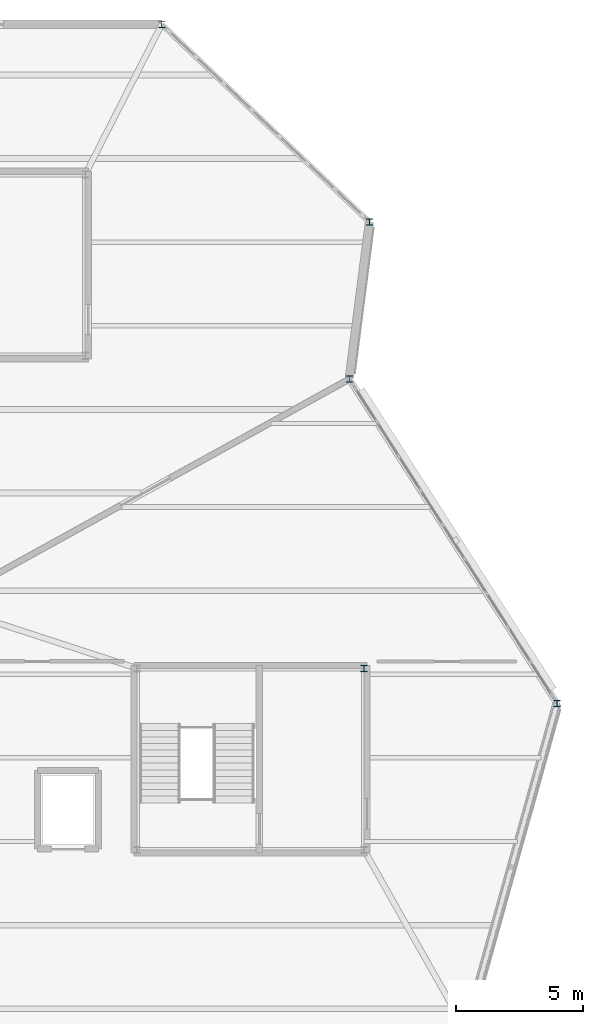
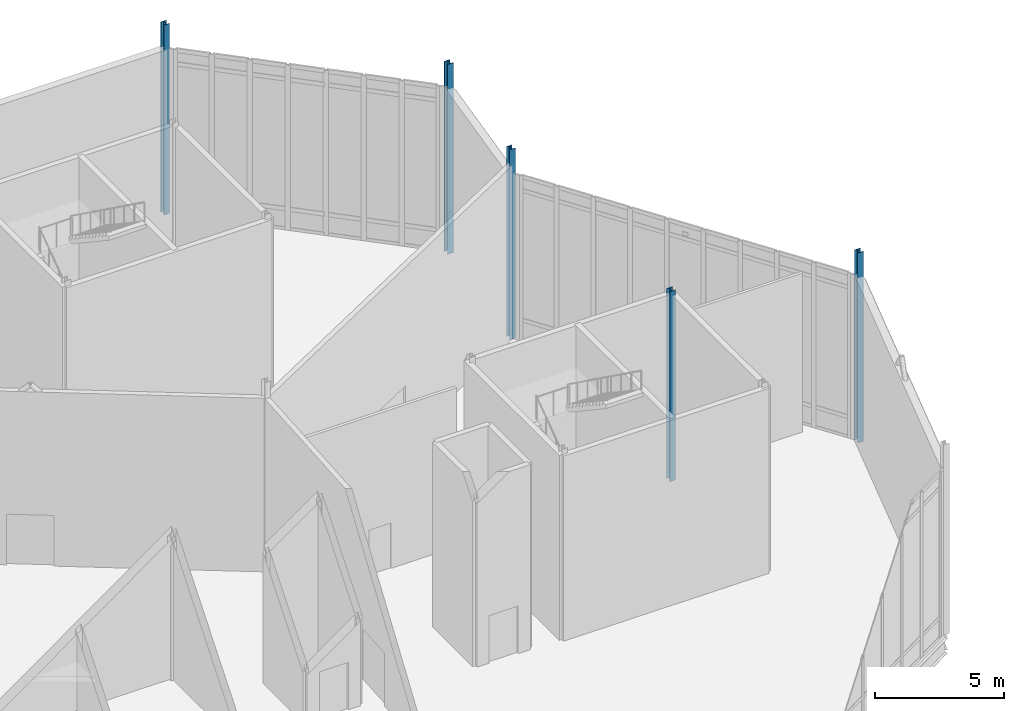
# One storey, part 8 of 66: 5 columns.
"""IFC4 building model written with IfcOpenShell, lengths in metres."""

from ifc_helpers import new_model, si_unit, direction, frame, origin, origin_2d, place, context, subcontext, project, spatial, i_section, extrude, material, material_profile, profile_set, type_object, element, save


model = new_model("IFC4")

# Units and contexts
model_context = context("Model", 3, precision=1e-05, world=origin(), true_north=direction((0.0, 1.0)))
body_context = subcontext(model_context, "Body", "Model", "MODEL_VIEW")
ifc_project = project(units=[si_unit("LENGTHUNIT", "METRE"), si_unit("AREAUNIT", "SQUARE_METRE"), si_unit("VOLUMEUNIT", "CUBIC_METRE"), si_unit("PLANEANGLEUNIT", "RADIAN"), si_unit("MASSUNIT", "GRAM", prefix="KILO")], contexts=[model_context])

# Site, building, storey
site_placement = place(None, origin())
site = spatial("IfcSite", under=ifc_project, at=site_placement, CompositionType="ELEMENT")
building_placement = place(site_placement, origin())
building = spatial("IfcBuilding", under=site, at=building_placement, Name="Tameran Prism Museum", CompositionType="ELEMENT")
storey_placement = place(building_placement, frame((0.0, 0.0, 19.800048828125)))
storey = spatial("IfcBuildingStorey", under=building, at=storey_placement, Name="L04", CompositionType="ELEMENT", Elevation=19.800048828125)

# Columns
ifc_material = material(Name="Steel Grade 300PLUS (300 MPa)", Category="steel")
ifc_material_profile = material_profile(ifc_material, i_section(OverallWidth=0.256103515625, OverallDepth=0.260009765625, WebThickness=0.010498046875, FlangeThickness=0.017333984375, FilletRadius=0.0126953125, at=origin_2d()))
ifc_profile_set = profile_set([ifc_material_profile])
column_type = type_object("IfcColumnType", Name="COL-UC250A", PredefinedType="COLUMN", material=ifc_profile_set)
for number, where, z_axis, x_axis, name in (
    (1, (127.5, 112.0, 0.0), (0.0, 0.0, 1.0), (1.0, 0.0, 0.0), "Column CV-51 L04"),
    (2, (134.89990234375, 98.0, 0.0), (0.0, 0.0, 1.0), (1.0, 0.0, 0.0), "Column CV-54 L04"),
    (3, (135.699951171875, 104.199951171875, 0.0), (0.0, 0.0, 1.0), (1.0, 0.0, 0.0), "Column CV-55 L04"),
    (4, (143.10009765625, 85.199951171875, 0.0), (0.0, 0.0, 1.0), (1.0, 0.0, 0.0), "Column CV-60 L04"),
    (5, (135.47998046875, 86.580078125, 0.0), (0.0, 0.0, 1.0), (1.0, 0.0, 0.0), "Column CC-2-3 L04"),
):
    element("IfcColumn", number, at=place(storey_placement, frame(where, z_axis=z_axis, x_axis=x_axis)), inside=storey, type_object=column_type, Name=name, PredefinedType="COLUMN", context=body_context, shape_type="SweptSolid", body=[
        extrude(i_section(OverallWidth=0.256103515625, OverallDepth=0.260009765625, WebThickness=0.010498046875, FlangeThickness=0.017333984375, FilletRadius=0.0126953125, at=origin_2d()), origin(), (0.0, 0.0, 1.0), 9.0),
    ])

save(model, "model.ifc")
